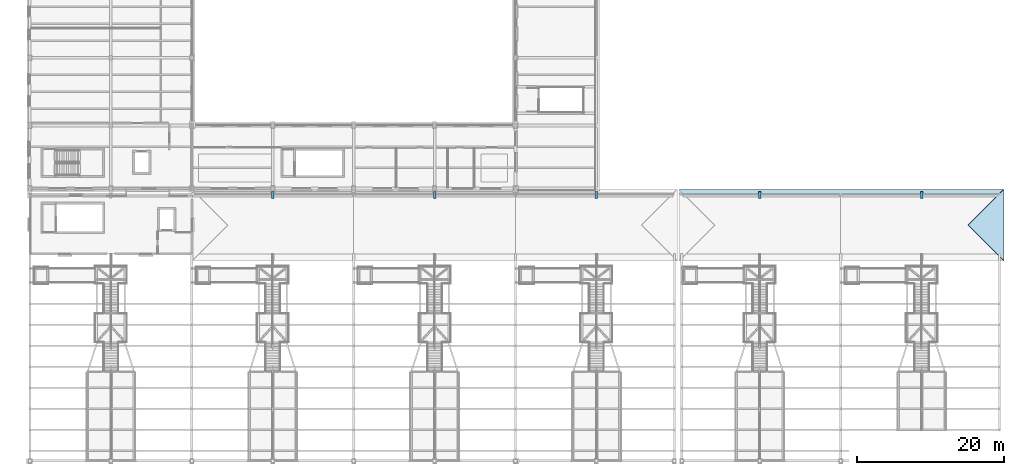
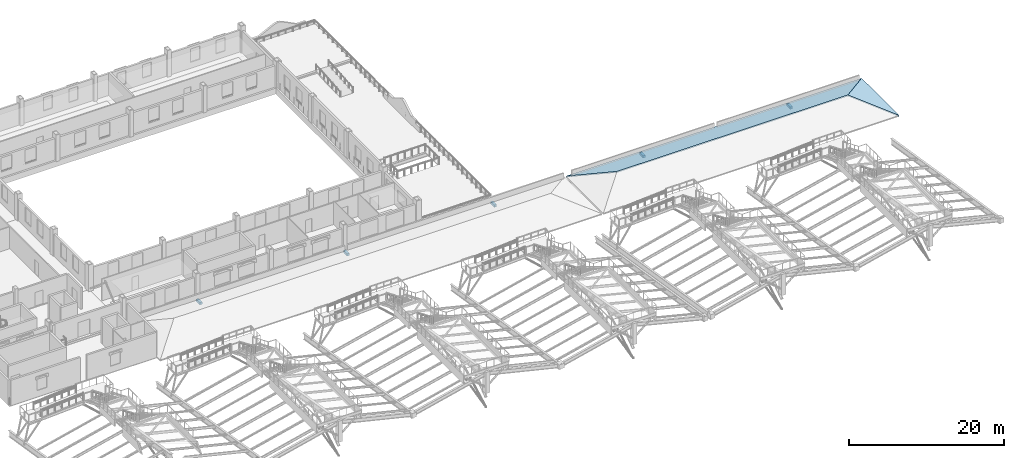
# One storey, part 29 of 43: 5 discrete accessories, 2 roofs.
"""IFC4 building model written with IfcOpenShell, lengths in metres."""

from ifc_helpers import new_model, si_unit, direction, frame, origin, origin_2d, place, context, subcontext, project, spatial, polyline, rectangle, outline, extrude, material, layer, layer_set, type_object, element, save


model = new_model("IFC4")

# Units and contexts
model_context = context("Model", 3, precision=1e-05, world=origin(), true_north=direction((0.0, 1.0)))
body_context = subcontext(model_context, "Body", "Model", "MODEL_VIEW")
ifc_project = project(units=[si_unit("LENGTHUNIT", "METRE"), si_unit("AREAUNIT", "SQUARE_METRE"), si_unit("VOLUMEUNIT", "CUBIC_METRE"), si_unit("PLANEANGLEUNIT", "RADIAN"), si_unit("MASSUNIT", "GRAM", prefix="KILO")], contexts=[model_context])

# Site, building, storey
site_placement = place(None, origin())
site = spatial("IfcSite", under=ifc_project, at=site_placement, CompositionType="ELEMENT")
building_placement = place(site_placement, origin())
building = spatial("IfcBuilding", under=site, at=building_placement, Name="Caurita Quay Ferry Terminal", CompositionType="ELEMENT")
storey_placement = place(building_placement, frame((0.0, 0.0, 14.10009765625)))
storey = spatial("IfcBuildingStorey", under=building, at=storey_placement, Name="L03", CompositionType="ELEMENT", Elevation=14.10009765625)

# Roofs
ifc_material_1 = material(Name="Terracotta clay barrel tile", Category="masonry")
ifc_layer = layer(ifc_material_1, 0.219970703125, Name="Spanish Colonial Revival pitched terracotta barrel-tile hipped roof")
ifc_layer_set = layer_set([ifc_layer], Name="Terracotta clay barrel tile")
roof_type = type_object("IfcRoofType", Name="ROOF-TEJA-HIP", PredefinedType="HIP_ROOF", material=ifc_layer_set)
roof_1_placement = place(storey_placement, frame((132.39990234375, 71.5, 0.02001953125), z_axis=(0.0, 0.377954065566, 0.925824348525), x_axis=(-1.0, 0.0, 0.0)))
element("IfcRoof", 1, at=roof_1_placement, inside=storey, type_object=roof_type, Name="Spanish Colonial Terracotta Hipped Roof V2-SPN-N", PredefinedType="HIP_ROOF", context=body_context, shape_type="SweptSolid", body=[
    extrude(outline(polyline([(0.0, 0.0), (44.199951171875, 0.0), (39.349853515625, 5.2386801707866475), (4.849853515625, 5.2386801707866475), (0.0, 0.0)])), origin(), (0.0, 0.0, -1.0), 0.159912109375),
])
roof_2_placement = place(storey_placement, frame((132.39990234375, 61.800048828125, 0.02001953125), z_axis=(0.377970373651, 0.0, 0.925817690824), x_axis=(0.0, 1.0, 0.0)))
element("IfcRoof", 2, at=roof_2_placement, inside=storey, type_object=roof_type, Name="Spanish Colonial Terracotta Hipped Roof V2-SPN-E", PredefinedType="HIP_ROOF", context=body_context, shape_type="SweptSolid", body=[
    extrude(outline(polyline([(0.0, 0.0), (9.699951171875, 0.0), (4.849853515625, 5.238454140264249), (0.0, 0.0)])), origin(), (0.0, 0.0, -1.0), 0.159912109375),
])

# Discrete accessories
ifc_material_2 = material(Name="Structural plate steel ASTM A572 Gr. 50", Category="steel")
discrete_accessory_type = type_object("IfcDiscreteAccessoryType", Name="ACC-BRK-01", PredefinedType="BRACKET", material=ifc_material_2)
for number, where, z_axis, x_axis, name in (
    (3, (33.0, 70.75, -0.2001953125), (0.0, 0.0, 1.0), (1.0, 0.0, 0.0), "L03 Terracotta Roof Eave Corbel 027"),
    (4, (55.0, 70.75, -0.2001953125), (0.0, 0.0, 1.0), (1.0, 0.0, 0.0), "L03 Terracotta Roof Eave Corbel 028"),
    (5, (77.0, 70.75, -0.2001953125), (0.0, 0.0, 1.0), (1.0, 0.0, 0.0), "L03 Terracotta Roof Eave Corbel 029"),
    (6, (99.199951171875, 70.75, -0.2001953125), (0.0, 0.0, 1.0), (1.0, 0.0, 0.0), "L03 Terracotta Roof Eave Corbel 030"),
    (7, (121.199951171875, 70.75, -0.2001953125), (0.0, 0.0, 1.0), (1.0, 0.0, 0.0), "L03 Terracotta Roof Eave Corbel 031"),
):
    element("IfcDiscreteAccessory", number, at=place(storey_placement, frame(where, z_axis=z_axis, x_axis=x_axis)), inside=storey, type_object=discrete_accessory_type, Name=name, PredefinedType="BRACKET", context=body_context, shape_type="SweptSolid", body=[
        extrude(rectangle(XDim=0.35009765625, YDim=0.949951171875, at=origin_2d()), origin(), (0.0, 0.0, 1.0), 0.360107421875),
    ])

save(model, "model.ifc")
